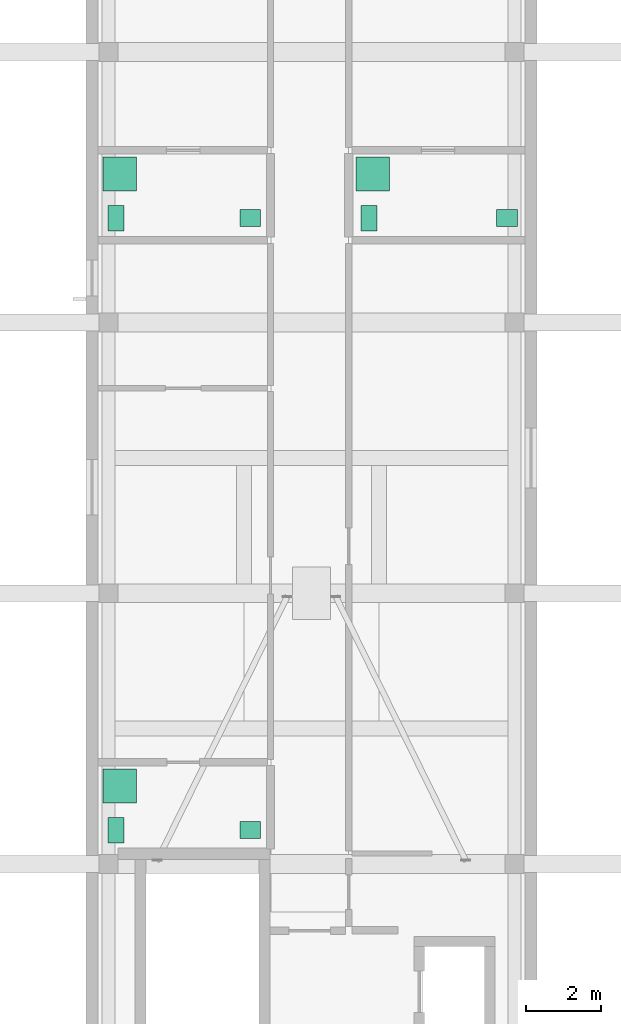
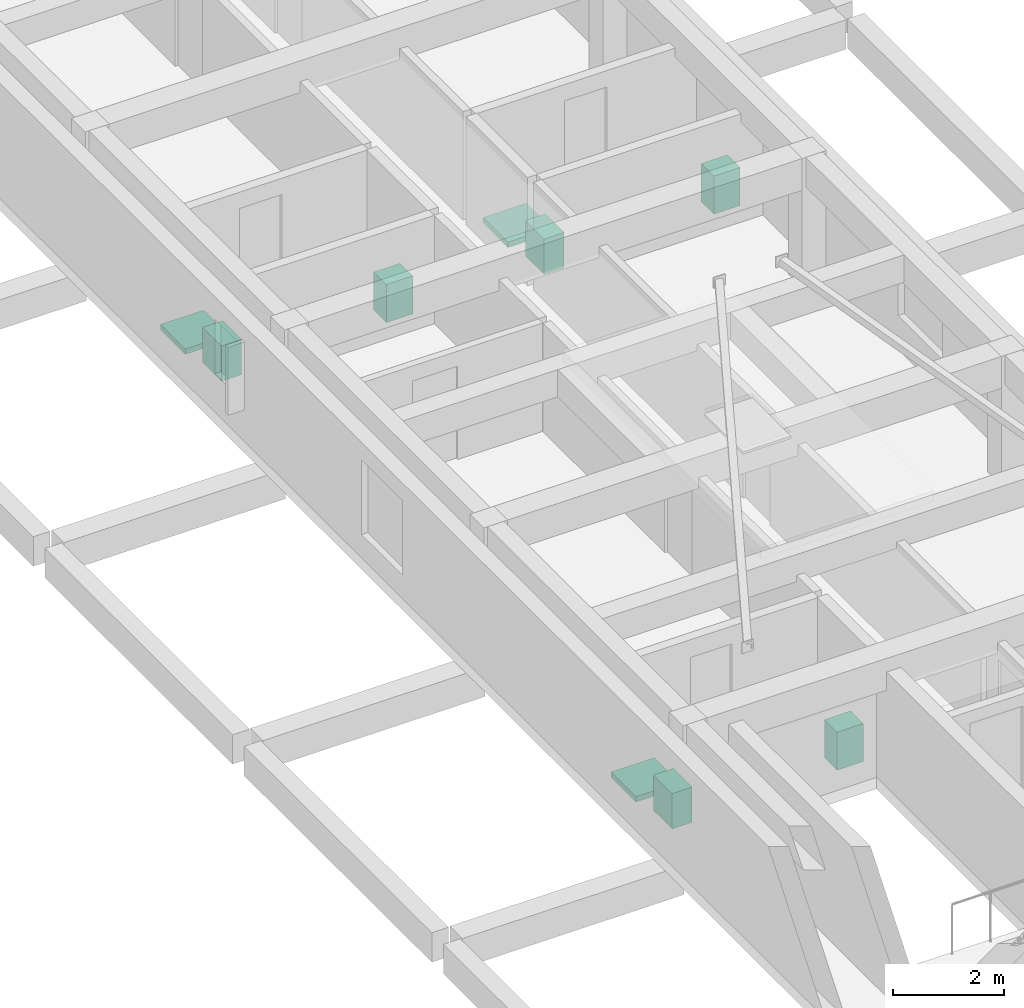
# One storey, part 9 of 9: 9 sanitary terminals.
"""IFC4 building model written with IfcOpenShell, lengths in metres."""

from ifc_helpers import new_model, si_unit, derived_unit, direction, frame, origin, origin_2d, place, context, subcontext, project, spatial, rectangle, extrude, material, type_object, element, save


model = new_model("IFC4")

# Units and contexts
model_context = context("Model", 3, precision=1e-05, world=origin(), true_north=direction((0.0, 1.0)))
body_context = subcontext(model_context, "Body", "Model", "MODEL_VIEW")
ifc_project = project(units=[si_unit("LENGTHUNIT", "METRE"), si_unit("AREAUNIT", "SQUARE_METRE"), si_unit("VOLUMEUNIT", "CUBIC_METRE"), si_unit("PLANEANGLEUNIT", "RADIAN"), si_unit("MASSUNIT", "GRAM", prefix="KILO"), derived_unit("THERMALTRANSMITTANCEUNIT", [(si_unit("MASSUNIT", "GRAM", prefix="KILO"), 1), (si_unit("TIMEUNIT", "SECOND"), -3), (si_unit("THERMODYNAMICTEMPERATUREUNIT", "KELVIN"), -1)])], contexts=[model_context])

# Site, building, storey
site_placement = place(None, origin())
site = spatial("IfcSite", under=ifc_project, at=site_placement, CompositionType="ELEMENT")
building_placement = place(site_placement, origin())
building = spatial("IfcBuilding", under=site, at=building_placement, Name="Ochrekiln Boulevard Commons", CompositionType="ELEMENT")
storey_placement = place(building_placement, frame((0.0, 0.0, 46.72509765625)))
storey = spatial("IfcBuildingStorey", under=building, at=storey_placement, Name="L14", CompositionType="ELEMENT", Elevation=46.72509765625)

# Sanitary terminals
ifc_material = material(Name="Vitreous china sanitaryware")
sanitary_terminal_type_1 = type_object("IfcSanitaryTerminalType", Name="SAN-BAS", PredefinedType="WASHHANDBASIN", material=ifc_material)
for number, where, z_axis, x_axis, name in (
    (1, (9.169921875, 76.5, 0.0), (0.0, 0.0, 1.0), (1.0, 0.0, 0.0), "L14 Washhand Basin Fixture"),
    (2, (9.169921875, 92.781982421875, 0.0), (0.0, 0.0, 1.0), (1.0, 0.0, 0.0), "L14 Washhand Basin Fixture"),
    (3, (16.0, 92.781982421875, 0.0), (0.0, 0.0, 1.0), (1.0, 0.0, 0.0), "L14 Washhand Basin Fixture"),
):
    element("IfcSanitaryTerminal", number, at=place(storey_placement, frame(where, z_axis=z_axis, x_axis=x_axis)), inside=storey, type_object=sanitary_terminal_type_1, Name=name, PredefinedType="WASHHANDBASIN", context=body_context, shape_type="SweptSolid", body=[
        extrude(rectangle(XDim=0.550048828125, YDim=0.4599609375, at=origin_2d()), origin(), (0.0, 0.0, 1.0), 0.840087890625),
    ])
sanitary_terminal_type_2 = type_object("IfcSanitaryTerminalType", Name="SAN-SHW", PredefinedType="SHOWER", material=ifc_material)
for number, where, z_axis, x_axis, name in (
    (4, (5.699951171875, 77.669921875, -0.000244140625), (0.0, 0.0, 1.0), (1.0, 0.0, 0.0), "L14 Shower Receptor"),
    (5, (5.699951171875, 93.951904296875, -0.000244140625), (0.0, 0.0, 1.0), (1.0, 0.0, 0.0), "L14 Shower Receptor"),
    (6, (12.429931640625, 93.951904296875, -0.000244140625), (0.0, 0.0, 1.0), (1.0, 0.0, 0.0), "L14 Shower Receptor"),
):
    element("IfcSanitaryTerminal", number, at=place(storey_placement, frame(where, z_axis=z_axis, x_axis=x_axis)), inside=storey, type_object=sanitary_terminal_type_2, Name=name, PredefinedType="SHOWER", context=body_context, shape_type="SweptSolid", body=[
        extrude(rectangle(XDim=0.89990234375, YDim=0.89990234375, at=origin_2d()), origin(), (0.0, 0.0, 1.0), 0.1201171875),
    ])
sanitary_terminal_type_3 = type_object("IfcSanitaryTerminalType", Name="SAN-WC", PredefinedType="TOILETPAN", material=ifc_material)
for number, where, z_axis, x_axis, name in (
    (7, (5.60009765625, 76.5, 0.0), (0.0, 0.0, 1.0), (1.0, 0.0, 0.0), "L14 Water Closet Fixture"),
    (8, (5.60009765625, 92.781982421875, 0.0), (0.0, 0.0, 1.0), (1.0, 0.0, 0.0), "L14 Water Closet Fixture"),
    (9, (12.330078125, 92.781982421875, 0.0), (0.0, 0.0, 1.0), (1.0, 0.0, 0.0), "L14 Water Closet Fixture"),
):
    element("IfcSanitaryTerminal", number, at=place(storey_placement, frame(where, z_axis=z_axis, x_axis=x_axis)), inside=storey, type_object=sanitary_terminal_type_3, Name=name, PredefinedType="TOILETPAN", context=body_context, shape_type="SweptSolid", body=[
        extrude(rectangle(XDim=0.419921875, YDim=0.679931640625, at=origin_2d()), origin(), (0.0, 0.0, 1.0), 0.780029296875),
    ])

save(model, "model.ifc")
